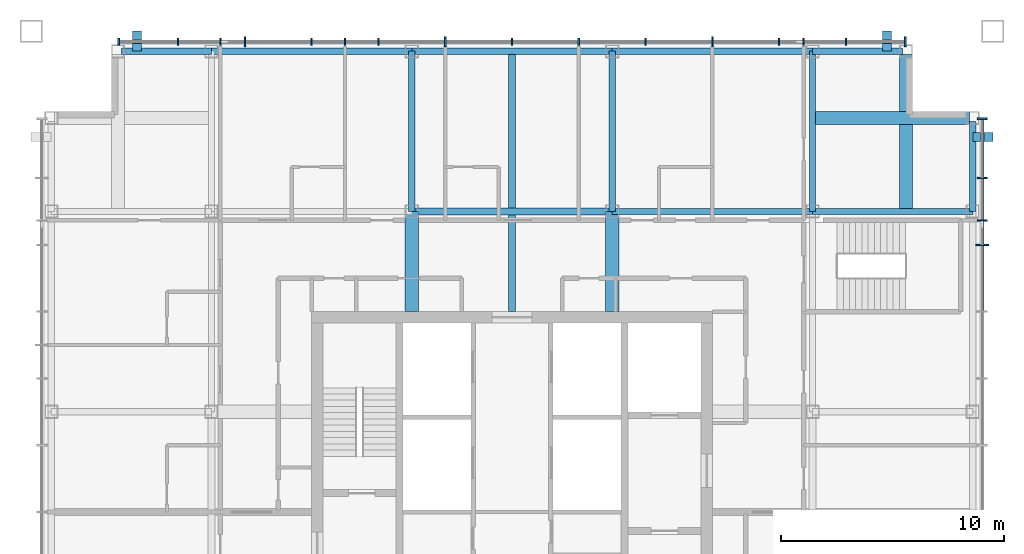
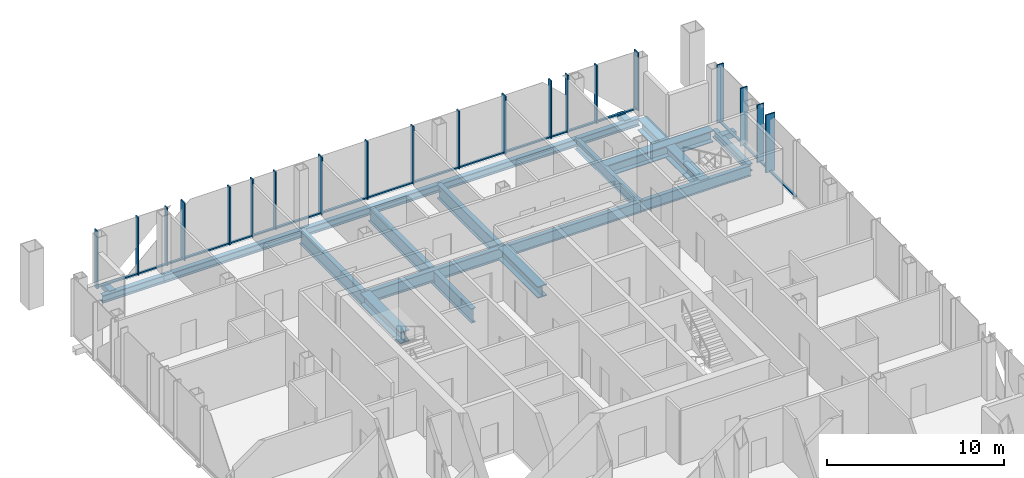
# One storey, part 5 of 16: 42 members, 17 beams, 2 elements without a shape of their own.
"""IFC4 building model written with IfcOpenShell, lengths in metres."""

from ifc_helpers import new_model, si_unit, direction, frame, origin, origin_2d, place, context, subcontext, project, spatial, rectangle, hollow_rectangle, i_section, extrude, material, layer, layer_set, material_profile, profile_set, type_object, element, aggregate, save


model = new_model("IFC4")

# Units and contexts
model_context = context("Model", 3, precision=1e-05, world=origin(), true_north=direction((0.0, 1.0)))
body_context = subcontext(model_context, "Body", "Model", "MODEL_VIEW")
ifc_project = project(units=[si_unit("LENGTHUNIT", "METRE"), si_unit("AREAUNIT", "SQUARE_METRE"), si_unit("VOLUMEUNIT", "CUBIC_METRE"), si_unit("PLANEANGLEUNIT", "RADIAN"), si_unit("MASSUNIT", "GRAM", prefix="KILO")], contexts=[model_context])

# Site, building, storey
site_placement = place(None, origin())
site = spatial("IfcSite", under=ifc_project, at=site_placement, CompositionType="ELEMENT")
building_placement = place(site_placement, origin())
building = spatial("IfcBuilding", under=site, at=building_placement, Name="Malebo Sky Hospital", CompositionType="ELEMENT")
storey_placement = place(building_placement, frame((0.0, 0.0, 254.0)))
storey = spatial("IfcBuildingStorey", under=building, at=storey_placement, Name="L61", CompositionType="ELEMENT", Elevation=254.0)

# Curtain wall, members
ifc_material_1 = material(Name="Anodised aluminium, natural silver", Category="aluminium")
ifc_layer_1 = layer(ifc_material_1, 0.25)
ifc_layer_set_1 = layer_set([ifc_layer_1], Name="WARD CURTAIN WALL NORTH AND SOUTH")
curtain_wall_type_1 = type_object("IfcCurtainWallType", Name="WARD CURTAIN WALL NORTH AND SOUTH", PredefinedType="NOTDEFINED", material=ifc_layer_set_1)
curtain_wall_1_placement = place(storey_placement, origin())
curtain_wall_1 = element("IfcCurtainWall", 1, at=curtain_wall_1_placement, inside=storey, type_object=curtain_wall_type_1, Name="NS curtain wall N", PredefinedType="NOTDEFINED")
ifc_material_profile_1 = material_profile(ifc_material_1, rectangle(XDim=0.14990234375, YDim=0.10009765625, at=origin_2d()), Name="ALUMINIUM TRANSOM 150x100")
ifc_profile_set_1 = profile_set([ifc_material_profile_1], Name="Anodised aluminium, natural silver")
member_type_1 = type_object("IfcMemberType", Name="ALUMINIUM TRANSOM 150x100", PredefinedType="USERDEFINED", material=ifc_profile_set_1)
member_1_placement = place(storey_placement, frame((42.375, 83.125, 0.050048828125), z_axis=(1.0, 0.0, 0.0), x_axis=(0.0, 1.0, 0.0)))
member_1 = element("IfcMember", 2, at=member_1_placement, type_object=member_type_1, Name="Transom 1", ObjectType="TRANSOM", PredefinedType="USERDEFINED", context=body_context, shape_type="SweptSolid", body=[
    extrude(rectangle(XDim=0.14990234375, YDim=0.10009765625, at=origin_2d()), origin(), (0.0, 0.0, 1.0), 2.58740234375),
])
member_2_placement = place(storey_placement, frame((45.03759765625, 83.125, 0.050048828125), z_axis=(1.0, 0.0, 0.0), x_axis=(0.0, 1.0, 0.0)))
member_2 = element("IfcMember", 3, at=member_2_placement, type_object=member_type_1, Name="Transom 2", ObjectType="TRANSOM", PredefinedType="USERDEFINED", context=body_context, shape_type="SweptSolid", body=[
    extrude(rectangle(XDim=0.14990234375, YDim=0.10009765625, at=origin_2d()), origin(), (0.0, 0.0, 1.0), 1.824951171875),
])
member_3_placement = place(storey_placement, frame((46.9375, 83.125, 0.050048828125), z_axis=(1.0, 0.0, 0.0), x_axis=(0.0, 1.0, 0.0)))
member_3 = element("IfcMember", 4, at=member_3_placement, type_object=member_type_1, Name="Transom 3", ObjectType="TRANSOM", PredefinedType="USERDEFINED", context=body_context, shape_type="SweptSolid", body=[
    extrude(rectangle(XDim=0.14990234375, YDim=0.10009765625, at=origin_2d()), origin(), (0.0, 0.0, 1.0), 1.02490234375),
])
member_4_placement = place(storey_placement, frame((48.03759765625, 83.125, 0.050048828125), z_axis=(1.0, 0.0, 0.0), x_axis=(0.0, 1.0, 0.0)))
member_4 = element("IfcMember", 5, at=member_4_placement, type_object=member_type_1, Name="Transom 4", ObjectType="TRANSOM", PredefinedType="USERDEFINED", context=body_context, shape_type="SweptSolid", body=[
    extrude(rectangle(XDim=0.14990234375, YDim=0.10009765625, at=origin_2d()), origin(), (0.0, 0.0, 1.0), 2.9248046875),
])
member_5_placement = place(storey_placement, frame((51.03759765625, 83.125, 0.050048828125), z_axis=(1.0, 0.0, 0.0), x_axis=(0.0, 1.0, 0.0)))
member_5 = element("IfcMember", 6, at=member_5_placement, type_object=member_type_1, Name="Transom 5", ObjectType="TRANSOM", PredefinedType="USERDEFINED", context=body_context, shape_type="SweptSolid", body=[
    extrude(rectangle(XDim=0.14990234375, YDim=0.10009765625, at=origin_2d()), origin(), (0.0, 0.0, 1.0), 1.4248046875),
])
member_6_placement = place(storey_placement, frame((52.53759765625, 83.125, 0.050048828125), z_axis=(1.0, 0.0, 0.0), x_axis=(0.0, 1.0, 0.0)))
member_6 = element("IfcMember", 7, at=member_6_placement, type_object=member_type_1, Name="Transom 6", ObjectType="TRANSOM", PredefinedType="USERDEFINED", context=body_context, shape_type="SweptSolid", body=[
    extrude(rectangle(XDim=0.14990234375, YDim=0.10009765625, at=origin_2d()), origin(), (0.0, 0.0, 1.0), 1.4248046875),
])
member_7_placement = place(storey_placement, frame((54.03759765625, 83.125, 0.050048828125), z_axis=(1.0, 0.0, 0.0), x_axis=(0.0, 1.0, 0.0)))
member_7 = element("IfcMember", 8, at=member_7_placement, type_object=member_type_1, Name="Transom 7", ObjectType="TRANSOM", PredefinedType="USERDEFINED", context=body_context, shape_type="SweptSolid", body=[
    extrude(rectangle(XDim=0.14990234375, YDim=0.10009765625, at=origin_2d()), origin(), (0.0, 0.0, 1.0), 2.9248046875),
])
member_8_placement = place(storey_placement, frame((57.03759765625, 83.125, 0.050048828125), z_axis=(1.0, 0.0, 0.0), x_axis=(0.0, 1.0, 0.0)))
member_8 = element("IfcMember", 9, at=member_8_placement, type_object=member_type_1, Name="Transom 8", ObjectType="TRANSOM", PredefinedType="USERDEFINED", context=body_context, shape_type="SweptSolid", body=[
    extrude(rectangle(XDim=0.14990234375, YDim=0.10009765625, at=origin_2d()), origin(), (0.0, 0.0, 1.0), 2.9248046875),
])
member_9_placement = place(storey_placement, frame((60.03759765625, 83.125, 0.050048828125), z_axis=(1.0, 0.0, 0.0), x_axis=(0.0, 1.0, 0.0)))
member_9 = element("IfcMember", 10, at=member_9_placement, type_object=member_type_1, Name="Transom 9", ObjectType="TRANSOM", PredefinedType="USERDEFINED", context=body_context, shape_type="SweptSolid", body=[
    extrude(rectangle(XDim=0.14990234375, YDim=0.10009765625, at=origin_2d()), origin(), (0.0, 0.0, 1.0), 2.9248046875),
])
member_10_placement = place(storey_placement, frame((63.03759765625, 83.125, 0.050048828125), z_axis=(1.0, 0.0, 0.0), x_axis=(0.0, 1.0, 0.0)))
member_10 = element("IfcMember", 11, at=member_10_placement, type_object=member_type_1, Name="Transom 10", ObjectType="TRANSOM", PredefinedType="USERDEFINED", context=body_context, shape_type="SweptSolid", body=[
    extrude(rectangle(XDim=0.14990234375, YDim=0.10009765625, at=origin_2d()), origin(), (0.0, 0.0, 1.0), 2.9248046875),
])
member_11_placement = place(storey_placement, frame((66.03759765625, 83.125, 0.050048828125), z_axis=(1.0, 0.0, 0.0), x_axis=(0.0, 1.0, 0.0)))
member_11 = element("IfcMember", 12, at=member_11_placement, type_object=member_type_1, Name="Transom 11", ObjectType="TRANSOM", PredefinedType="USERDEFINED", context=body_context, shape_type="SweptSolid", body=[
    extrude(rectangle(XDim=0.14990234375, YDim=0.10009765625, at=origin_2d()), origin(), (0.0, 0.0, 1.0), 2.9248046875),
])
member_12_placement = place(storey_placement, frame((69.03759765625, 83.125, 0.050048828125), z_axis=(1.0, 0.0, 0.0), x_axis=(0.0, 1.0, 0.0)))
member_12 = element("IfcMember", 13, at=member_12_placement, type_object=member_type_1, Name="Transom 12", ObjectType="TRANSOM", PredefinedType="USERDEFINED", context=body_context, shape_type="SweptSolid", body=[
    extrude(rectangle(XDim=0.14990234375, YDim=0.10009765625, at=origin_2d()), origin(), (0.0, 0.0, 1.0), 2.9248046875),
])
member_13_placement = place(storey_placement, frame((72.03759765625, 83.125, 0.050048828125), z_axis=(1.0, 0.0, 0.0), x_axis=(0.0, 1.0, 0.0)))
member_13 = element("IfcMember", 14, at=member_13_placement, type_object=member_type_1, Name="Transom 13", ObjectType="TRANSOM", PredefinedType="USERDEFINED", context=body_context, shape_type="SweptSolid", body=[
    extrude(rectangle(XDim=0.14990234375, YDim=0.10009765625, at=origin_2d()), origin(), (0.0, 0.0, 1.0), 1.02490234375),
])
member_14_placement = place(storey_placement, frame((73.137451171875, 83.125, 0.050048828125), z_axis=(1.0, 0.0, 0.0), x_axis=(0.0, 1.0, 0.0)))
member_14 = element("IfcMember", 15, at=member_14_placement, type_object=member_type_1, Name="Transom 14", ObjectType="TRANSOM", PredefinedType="USERDEFINED", context=body_context, shape_type="SweptSolid", body=[
    extrude(rectangle(XDim=0.14990234375, YDim=0.10009765625, at=origin_2d()), origin(), (0.0, 0.0, 1.0), 1.824951171875),
])
member_15_placement = place(storey_placement, frame((75.03759765625, 83.125, 0.050048828125), z_axis=(1.0, 0.0, 0.0), x_axis=(0.0, 1.0, 0.0)))
member_15 = element("IfcMember", 16, at=member_15_placement, type_object=member_type_1, Name="Transom 15", ObjectType="TRANSOM", PredefinedType="USERDEFINED", context=body_context, shape_type="SweptSolid", body=[
    extrude(rectangle(XDim=0.14990234375, YDim=0.10009765625, at=origin_2d()), origin(), (0.0, 0.0, 1.0), 2.58740234375),
])

ifc_layer_2 = layer(ifc_material_1, 0.25)
ifc_layer_set_2 = layer_set([ifc_layer_2], Name="WARD CURTAIN WALL EAST AND WEST")
curtain_wall_type_2 = type_object("IfcCurtainWallType", Name="WARD CURTAIN WALL EAST AND WEST", PredefinedType="NOTDEFINED", material=ifc_layer_set_2)
curtain_wall_2_placement = place(storey_placement, origin())
curtain_wall_2 = element("IfcCurtainWall", 17, at=curtain_wall_2_placement, inside=storey, type_object=curtain_wall_type_2, Name="EW curtain wall E", PredefinedType="NOTDEFINED")
member_16_placement = place(storey_placement, frame((81.125, 79.625, 0.050048828125), z_axis=(0.0, -1.0, 0.0), x_axis=(1.0, 0.0, 0.0)))
member_16 = element("IfcMember", 18, at=member_16_placement, type_object=member_type_1, Name="Transom 1", ObjectType="TRANSOM", PredefinedType="USERDEFINED", context=body_context, shape_type="SweptSolid", body=[
    extrude(rectangle(XDim=0.14990234375, YDim=0.10009765625, at=origin_2d()), origin(), (0.0, 0.0, 1.0), 2.58740234375),
])
member_17_placement = place(storey_placement, frame((81.125, 76.96240234375, 0.050048828125), z_axis=(0.0, -1.0, 0.0), x_axis=(1.0, 0.0, 0.0)))
member_17 = element("IfcMember", 19, at=member_17_placement, type_object=member_type_1, Name="Transom 2", ObjectType="TRANSOM", PredefinedType="USERDEFINED", context=body_context, shape_type="SweptSolid", body=[
    extrude(rectangle(XDim=0.14990234375, YDim=0.10009765625, at=origin_2d()), origin(), (0.0, 0.0, 1.0), 1.824951171875),
])
member_18_placement = place(storey_placement, frame((81.125, 75.0625, 0.050048828125), z_axis=(0.0, -1.0, 0.0), x_axis=(1.0, 0.0, 0.0)))
member_18 = element("IfcMember", 20, at=member_18_placement, type_object=member_type_1, Name="Transom 3", ObjectType="TRANSOM", PredefinedType="USERDEFINED", context=body_context, shape_type="SweptSolid", body=[
    extrude(rectangle(XDim=0.14990234375, YDim=0.10009765625, at=origin_2d()), origin(), (0.0, 0.0, 1.0), 1.02490234375),
])
member_19_placement = place(storey_placement, frame((81.125, 73.96240234375, 0.050048828125), z_axis=(0.0, -1.0, 0.0), x_axis=(1.0, 0.0, 0.0)))
member_19 = element("IfcMember", 21, at=member_19_placement, type_object=member_type_1, Name="Transom 4", ObjectType="TRANSOM", PredefinedType="USERDEFINED", context=body_context, shape_type="SweptSolid", body=[
    extrude(rectangle(XDim=0.14990234375, YDim=0.10009765625, at=origin_2d()), origin(), (0.0, 0.0, 1.0), 2.9248046875),
])

# Members
ifc_material_2 = material(Name="Steel S355", Category="steel")
ifc_material_profile_2 = material_profile(ifc_material_2, hollow_rectangle(XDim=0.39990234375, YDim=0.39990234375, WallThickness=0.02001953125, at=origin_2d()), Name="SHS 400x20")
ifc_profile_set_2 = profile_set([ifc_material_profile_2], Name="Steel S355")
member_type_2 = type_object("IfcMemberType", Name="BRACE STRUT SHS 400x20", PredefinedType="STRUT", material=ifc_profile_set_2)
for number, where, z_axis, x_axis, name in (
    (22, (76.847412109375, 83.60009765625, -0.39990234375), (0.0, -1.0, 0.0), (1.0, 0.0, 0.0), "Brace strut DN1 L61"),
    (23, (43.152587890625, 83.60009765625, -0.39990234375), (0.0, -1.0, 0.0), (1.0, 0.0, 0.0), "Brace strut DN2 L61"),
    (24, (81.60009765625, 78.847412109375, -0.39990234375), (-1.0, 0.0, 0.0), (0.0, -1.0, 0.0), "Brace strut DE2 L61"),
):
    element("IfcMember", number, at=place(storey_placement, frame(where, z_axis=z_axis, x_axis=x_axis)), inside=storey, type_object=member_type_2, Name=name, PredefinedType="STRUT", context=body_context, shape_type="SweptSolid", body=[
        extrude(hollow_rectangle(XDim=0.39990234375, YDim=0.39990234375, WallThickness=0.02001953125, at=origin_2d()), origin(), (0.0, 0.0, 1.0), 0.900146484375),
    ])

# Member
ifc_material_profile_3 = material_profile(ifc_material_1, rectangle(XDim=0.074951171875, YDim=0.300048828125, at=origin_2d()), Name="CW1 ALUMINIUM FIN MULLION 75x300")
ifc_profile_set_3 = profile_set([ifc_material_profile_3], Name="Anodised aluminium, natural silver")
member_type_3 = type_object("IfcMemberType", Name="CW1 ALUMINIUM FIN MULLION 75x300", PredefinedType="MULLION", material=ifc_profile_set_3)
member_20_placement = place(storey_placement, frame((42.33740234375, 83.125, 0.0), z_axis=(0.0, 0.0, 1.0), x_axis=(1.0, 0.0, 0.0)))
member_20 = element("IfcMember", 25, at=member_20_placement, type_object=member_type_3, Name="Fin mullion 1", PredefinedType="MULLION", context=body_context, shape_type="SweptSolid", body=[
    extrude(rectangle(XDim=0.074951171875, YDim=0.300048828125, at=origin_2d()), origin(), (0.0, 0.0, 1.0), 4.0),
])

member_21_placement = place(storey_placement, frame((45.0, 83.125, 0.0), z_axis=(0.0, 0.0, 1.0), x_axis=(1.0, 0.0, 0.0)))
member_21 = element("IfcMember", 26, at=member_21_placement, type_object=member_type_3, Name="Fin mullion 2", PredefinedType="MULLION", context=body_context, shape_type="SweptSolid", body=[
    extrude(rectangle(XDim=0.074951171875, YDim=0.300048828125, at=origin_2d()), origin(), (0.0, 0.0, 1.0), 4.0),
])

member_22_placement = place(storey_placement, frame((46.89990234375, 83.125, 0.0), z_axis=(0.0, 0.0, 1.0), x_axis=(1.0, 0.0, 0.0)))
member_22 = element("IfcMember", 27, at=member_22_placement, type_object=member_type_3, Name="Fin mullion 3", PredefinedType="MULLION", context=body_context, shape_type="SweptSolid", body=[
    extrude(rectangle(XDim=0.074951171875, YDim=0.300048828125, at=origin_2d()), origin(), (0.0, 0.0, 1.0), 4.0),
])

member_23_placement = place(storey_placement, frame((51.0, 83.125, 0.0), z_axis=(0.0, 0.0, 1.0), x_axis=(1.0, 0.0, 0.0)))
member_23 = element("IfcMember", 28, at=member_23_placement, type_object=member_type_3, Name="Fin mullion 5", PredefinedType="MULLION", context=body_context, shape_type="SweptSolid", body=[
    extrude(rectangle(XDim=0.074951171875, YDim=0.300048828125, at=origin_2d()), origin(), (0.0, 0.0, 1.0), 4.0),
])

member_24_placement = place(storey_placement, frame((52.5, 83.125, 0.0), z_axis=(0.0, 0.0, 1.0), x_axis=(1.0, 0.0, 0.0)))
member_24 = element("IfcMember", 29, at=member_24_placement, type_object=member_type_3, Name="Fin mullion 6", PredefinedType="MULLION", context=body_context, shape_type="SweptSolid", body=[
    extrude(rectangle(XDim=0.074951171875, YDim=0.300048828125, at=origin_2d()), origin(), (0.0, 0.0, 1.0), 4.0),
])

member_25_placement = place(storey_placement, frame((54.0, 83.125, 0.0), z_axis=(0.0, 0.0, 1.0), x_axis=(1.0, 0.0, 0.0)))
member_25 = element("IfcMember", 30, at=member_25_placement, type_object=member_type_3, Name="Fin mullion 7", PredefinedType="MULLION", context=body_context, shape_type="SweptSolid", body=[
    extrude(rectangle(XDim=0.074951171875, YDim=0.300048828125, at=origin_2d()), origin(), (0.0, 0.0, 1.0), 4.0),
])

member_26_placement = place(storey_placement, frame((60.0, 83.125, 0.0), z_axis=(0.0, 0.0, 1.0), x_axis=(1.0, 0.0, 0.0)))
member_26 = element("IfcMember", 31, at=member_26_placement, type_object=member_type_3, Name="Fin mullion 9", PredefinedType="MULLION", context=body_context, shape_type="SweptSolid", body=[
    extrude(rectangle(XDim=0.074951171875, YDim=0.300048828125, at=origin_2d()), origin(), (0.0, 0.0, 1.0), 4.0),
])

member_27_placement = place(storey_placement, frame((63.0, 83.125, 0.0), z_axis=(0.0, 0.0, 1.0), x_axis=(1.0, 0.0, 0.0)))
member_27 = element("IfcMember", 32, at=member_27_placement, type_object=member_type_3, Name="Fin mullion 10", PredefinedType="MULLION", context=body_context, shape_type="SweptSolid", body=[
    extrude(rectangle(XDim=0.074951171875, YDim=0.300048828125, at=origin_2d()), origin(), (0.0, 0.0, 1.0), 4.0),
])

member_28_placement = place(storey_placement, frame((66.0, 83.125, 0.0), z_axis=(0.0, 0.0, 1.0), x_axis=(1.0, 0.0, 0.0)))
member_28 = element("IfcMember", 33, at=member_28_placement, type_object=member_type_3, Name="Fin mullion 11", PredefinedType="MULLION", context=body_context, shape_type="SweptSolid", body=[
    extrude(rectangle(XDim=0.074951171875, YDim=0.300048828125, at=origin_2d()), origin(), (0.0, 0.0, 1.0), 4.0),
])

member_29_placement = place(storey_placement, frame((72.0, 83.125, 0.0), z_axis=(0.0, 0.0, 1.0), x_axis=(1.0, 0.0, 0.0)))
member_29 = element("IfcMember", 34, at=member_29_placement, type_object=member_type_3, Name="Fin mullion 13", PredefinedType="MULLION", context=body_context, shape_type="SweptSolid", body=[
    extrude(rectangle(XDim=0.074951171875, YDim=0.300048828125, at=origin_2d()), origin(), (0.0, 0.0, 1.0), 4.0),
])

member_30_placement = place(storey_placement, frame((73.10009765625, 83.125, 0.0), z_axis=(0.0, 0.0, 1.0), x_axis=(1.0, 0.0, 0.0)))
member_30 = element("IfcMember", 35, at=member_30_placement, type_object=member_type_3, Name="Fin mullion 14", PredefinedType="MULLION", context=body_context, shape_type="SweptSolid", body=[
    extrude(rectangle(XDim=0.074951171875, YDim=0.300048828125, at=origin_2d()), origin(), (0.0, 0.0, 1.0), 4.0),
])

member_31_placement = place(storey_placement, frame((75.0, 83.125, 0.0), z_axis=(0.0, 0.0, 1.0), x_axis=(1.0, 0.0, 0.0)))
member_31 = element("IfcMember", 36, at=member_31_placement, type_object=member_type_3, Name="Fin mullion 15", PredefinedType="MULLION", context=body_context, shape_type="SweptSolid", body=[
    extrude(rectangle(XDim=0.074951171875, YDim=0.300048828125, at=origin_2d()), origin(), (0.0, 0.0, 1.0), 4.0),
])

ifc_material_profile_4 = material_profile(ifc_material_1, rectangle(XDim=0.074951171875, YDim=0.449951171875, at=origin_2d()), Name="CW1 ALUMINIUM FIN MULLION 75x450")
ifc_profile_set_4 = profile_set([ifc_material_profile_4], Name="Anodised aluminium, natural silver")
member_type_4 = type_object("IfcMemberType", Name="CW1 ALUMINIUM FIN MULLION 75x450", PredefinedType="MULLION", material=ifc_profile_set_4)
member_32_placement = place(storey_placement, frame((48.0, 83.125, 0.0), z_axis=(0.0, 0.0, 1.0), x_axis=(1.0, 0.0, 0.0)))
member_32 = element("IfcMember", 37, at=member_32_placement, type_object=member_type_4, Name="Fin mullion 4", PredefinedType="MULLION", context=body_context, shape_type="SweptSolid", body=[
    extrude(rectangle(XDim=0.074951171875, YDim=0.449951171875, at=origin_2d()), origin(), (0.0, 0.0, 1.0), 4.0),
])

member_33_placement = place(storey_placement, frame((57.0, 83.125, 0.0), z_axis=(0.0, 0.0, 1.0), x_axis=(1.0, 0.0, 0.0)))
member_33 = element("IfcMember", 38, at=member_33_placement, type_object=member_type_4, Name="Fin mullion 8", PredefinedType="MULLION", context=body_context, shape_type="SweptSolid", body=[
    extrude(rectangle(XDim=0.074951171875, YDim=0.449951171875, at=origin_2d()), origin(), (0.0, 0.0, 1.0), 4.0),
])

member_34_placement = place(storey_placement, frame((69.0, 83.125, 0.0), z_axis=(0.0, 0.0, 1.0), x_axis=(1.0, 0.0, 0.0)))
member_34 = element("IfcMember", 39, at=member_34_placement, type_object=member_type_4, Name="Fin mullion 12", PredefinedType="MULLION", context=body_context, shape_type="SweptSolid", body=[
    extrude(rectangle(XDim=0.074951171875, YDim=0.449951171875, at=origin_2d()), origin(), (0.0, 0.0, 1.0), 4.0),
])

member_35_placement = place(storey_placement, frame((77.66259765625, 83.125, 0.0), z_axis=(0.0, 0.0, 1.0), x_axis=(1.0, 0.0, 0.0)))
member_35 = element("IfcMember", 40, at=member_35_placement, type_object=member_type_4, Name="Fin mullion 16", PredefinedType="MULLION", context=body_context, shape_type="SweptSolid", body=[
    extrude(rectangle(XDim=0.074951171875, YDim=0.449951171875, at=origin_2d()), origin(), (0.0, 0.0, 1.0), 4.0),
])

aggregate(curtain_wall_1, [member_20, member_21, member_22, member_32, member_23, member_24, member_25, member_33, member_26, member_27, member_28, member_34, member_29, member_30, member_31, member_35, member_1, member_2, member_3, member_4, member_5, member_6, member_7, member_8, member_9, member_10, member_11, member_12, member_13, member_14, member_15])

ifc_material_profile_5 = material_profile(ifc_material_1, rectangle(XDim=0.074951171875, YDim=0.449951171875, at=origin_2d()), Name="CW2 ALUMINIUM FIN MULLION 75x450")
ifc_profile_set_5 = profile_set([ifc_material_profile_5], Name="Anodised aluminium, natural silver")
member_type_5 = type_object("IfcMemberType", Name="CW2 ALUMINIUM FIN MULLION 75x450", PredefinedType="MULLION", material=ifc_profile_set_5)
member_36_placement = place(storey_placement, frame((81.125, 79.66259765625, 0.0), z_axis=(0.0, 0.0, 1.0), x_axis=(0.0, -1.0, 0.0)))
member_36 = element("IfcMember", 41, at=member_36_placement, type_object=member_type_5, Name="Fin mullion 1", PredefinedType="MULLION", context=body_context, shape_type="SweptSolid", body=[
    extrude(rectangle(XDim=0.074951171875, YDim=0.449951171875, at=origin_2d()), origin(), (0.0, 0.0, 1.0), 4.0),
])

member_37_placement = place(storey_placement, frame((81.125, 77.0, 0.0), z_axis=(0.0, 0.0, 1.0), x_axis=(0.0, -1.0, 0.0)))
member_37 = element("IfcMember", 42, at=member_37_placement, type_object=member_type_5, Name="Fin mullion 2", PredefinedType="MULLION", context=body_context, shape_type="SweptSolid", body=[
    extrude(rectangle(XDim=0.074951171875, YDim=0.449951171875, at=origin_2d()), origin(), (0.0, 0.0, 1.0), 4.0),
])

member_38_placement = place(storey_placement, frame((81.125, 75.10009765625, 0.0), z_axis=(0.0, 0.0, 1.0), x_axis=(0.0, -1.0, 0.0)))
member_38 = element("IfcMember", 43, at=member_38_placement, type_object=member_type_5, Name="Fin mullion 3", PredefinedType="MULLION", context=body_context, shape_type="SweptSolid", body=[
    extrude(rectangle(XDim=0.074951171875, YDim=0.449951171875, at=origin_2d()), origin(), (0.0, 0.0, 1.0), 4.0),
])

ifc_material_profile_6 = material_profile(ifc_material_1, rectangle(XDim=0.074951171875, YDim=0.60009765625, at=origin_2d()), Name="CW2 ALUMINIUM FIN MULLION 75x600")
ifc_profile_set_6 = profile_set([ifc_material_profile_6], Name="Anodised aluminium, natural silver")
member_type_6 = type_object("IfcMemberType", Name="CW2 ALUMINIUM FIN MULLION 75x600", PredefinedType="MULLION", material=ifc_profile_set_6)
member_39_placement = place(storey_placement, frame((81.125, 74.0, 0.0), z_axis=(0.0, 0.0, 1.0), x_axis=(0.0, -1.0, 0.0)))
member_39 = element("IfcMember", 44, at=member_39_placement, type_object=member_type_6, Name="Fin mullion 4", PredefinedType="MULLION", context=body_context, shape_type="SweptSolid", body=[
    extrude(rectangle(XDim=0.074951171875, YDim=0.60009765625, at=origin_2d()), origin(), (0.0, 0.0, 1.0), 4.0),
])

aggregate(curtain_wall_2, [member_36, member_37, member_38, member_39, member_16, member_17, member_18, member_19])

# Beams
ifc_material_profile_7 = material_profile(ifc_material_2, i_section(OverallWidth=0.305908203125, OverallDepth=0.52392578125, WebThickness=0.02099609375, FlangeThickness=0.0400390625, FilletRadius=0.027099609375, at=origin_2d()), Name="HEM 500")
ifc_profile_set_7 = profile_set([ifc_material_profile_7], Name="Steel S355")
beam_type_1 = type_object("IfcBeamType", Name="EDGE BEAM HEM 500", PredefinedType="BEAM", material=ifc_profile_set_7)
for number, where, z_axis, x_axis, name in (
    (45, (80.699951171875, 75.5, -0.511962890625), (0.0, 1.0, 0.0), (-1.0, 0.0, 0.0), "Beam 033 L61"),
    (46, (42.449951171875, 82.699951171875, -0.511962890625), (1.0, 0.0, 0.0), (0.0, 1.0, 0.0), "Beam 063 L61"),
):
    element("IfcBeam", number, at=place(storey_placement, frame(where, z_axis=z_axis, x_axis=x_axis)), inside=storey, type_object=beam_type_1, Name=name, PredefinedType="BEAM", context=body_context, shape_type="SweptSolid", body=[
        extrude(i_section(OverallWidth=0.305908203125, OverallDepth=0.52392578125, WebThickness=0.02099609375, FlangeThickness=0.0400390625, FilletRadius=0.027099609375, at=origin_2d()), origin(), (0.0, 0.0, 1.0), 4.050048828125),
    ])
for number, where, z_axis, x_axis, name in (
    (47, (46.5, 82.699951171875, -0.511962890625), (1.0, 0.0, 0.0), (0.0, 1.0, 0.0), "Beam 064 L61"),
    (48, (55.5, 82.699951171875, -0.511962890625), (1.0, 0.0, 0.0), (0.0, 1.0, 0.0), "Beam 065 L61"),
    (49, (64.5, 82.699951171875, -0.511962890625), (1.0, 0.0, 0.0), (0.0, 1.0, 0.0), "Beam 066 L61"),
):
    element("IfcBeam", number, at=place(storey_placement, frame(where, z_axis=z_axis, x_axis=x_axis)), inside=storey, type_object=beam_type_1, Name=name, PredefinedType="BEAM", context=body_context, shape_type="SweptSolid", body=[
        extrude(i_section(OverallWidth=0.305908203125, OverallDepth=0.52392578125, WebThickness=0.02099609375, FlangeThickness=0.0400390625, FilletRadius=0.027099609375, at=origin_2d()), origin(), (0.0, 0.0, 1.0), 9.0),
    ])
beam_1_placement = place(storey_placement, frame((73.5, 82.699951171875, -0.511962890625), z_axis=(1.0, 0.0, 0.0), x_axis=(0.0, 1.0, 0.0)))
element("IfcBeam", 50, at=beam_1_placement, inside=storey, type_object=beam_type_1, Name="Beam 067 L61", PredefinedType="BEAM", context=body_context, shape_type="SweptSolid", body=[
    extrude(i_section(OverallWidth=0.305908203125, OverallDepth=0.52392578125, WebThickness=0.02099609375, FlangeThickness=0.0400390625, FilletRadius=0.027099609375, at=origin_2d()), origin(), (0.0, 0.0, 1.0), 4.050048828125),
])
ifc_material_profile_8 = material_profile(ifc_material_2, i_section(OverallWidth=0.300048828125, OverallDepth=1.0, WebThickness=0.01904296875, FlangeThickness=0.035888671875, FilletRadius=0.030029296875, at=origin_2d()), Name="HEB 1000")
ifc_profile_set_8 = profile_set([ifc_material_profile_8], Name="Steel S355")
beam_type_2 = type_object("IfcBeamType", Name="FLOOR BEAM HEB 1000", PredefinedType="BEAM", material=ifc_profile_set_8)
beam_2_placement = place(storey_placement, frame((55.5, 75.5, -0.75), z_axis=(0.0, 1.0, 0.0), x_axis=(-1.0, 0.0, 0.0)))
element("IfcBeam", 51, at=beam_2_placement, inside=storey, type_object=beam_type_2, Name="Beam 015 L61", PredefinedType="BEAM", context=body_context, shape_type="SweptSolid", body=[
    extrude(i_section(OverallWidth=0.300048828125, OverallDepth=1.0, WebThickness=0.01904296875, FlangeThickness=0.035888671875, FilletRadius=0.030029296875, at=origin_2d()), origin(), (0.0, 0.0, 1.0), 7.199951171875),
])
beam_3_placement = place(storey_placement, frame((60.0, 71.0, -0.75), z_axis=(0.0, 1.0, 0.0), x_axis=(-1.0, 0.0, 0.0)))
element("IfcBeam", 52, at=beam_3_placement, inside=storey, type_object=beam_type_2, Name="Beam 017 L61", PredefinedType="BEAM", context=body_context, shape_type="SweptSolid", body=[
    extrude(i_section(OverallWidth=0.300048828125, OverallDepth=1.0, WebThickness=0.01904296875, FlangeThickness=0.035888671875, FilletRadius=0.030029296875, at=origin_2d()), origin(), (0.0, 0.0, 1.0), 11.699951171875),
])
beam_4_placement = place(storey_placement, frame((64.5, 75.5, -0.75), z_axis=(0.0, 1.0, 0.0), x_axis=(-1.0, 0.0, 0.0)))
element("IfcBeam", 53, at=beam_4_placement, inside=storey, type_object=beam_type_2, Name="Beam 021 L61", PredefinedType="BEAM", context=body_context, shape_type="SweptSolid", body=[
    extrude(i_section(OverallWidth=0.300048828125, OverallDepth=1.0, WebThickness=0.01904296875, FlangeThickness=0.035888671875, FilletRadius=0.030029296875, at=origin_2d()), origin(), (0.0, 0.0, 1.0), 7.199951171875),
])
ifc_material_profile_9 = material_profile(ifc_material_2, i_section(OverallWidth=0.26708984375, OverallDepth=0.761962890625, WebThickness=0.014404296875, FlangeThickness=0.021484375, FilletRadius=0.01708984375, at=origin_2d()), Name="IPE 750x173")
ifc_profile_set_9 = profile_set([ifc_material_profile_9], Name="Steel S355")
beam_type_3 = type_object("IfcBeamType", Name="FLOOR BEAM IPE 750x173", PredefinedType="BEAM", material=ifc_profile_set_9)
beam_5_placement = place(storey_placement, frame((64.5, 75.5, -0.631103515625), z_axis=(1.0, 0.0, 0.0), x_axis=(0.0, 1.0, 0.0)))
element("IfcBeam", 54, at=beam_5_placement, inside=storey, type_object=beam_type_3, Name="Beam 059 L61", PredefinedType="BEAM", context=body_context, shape_type="SweptSolid", body=[
    extrude(i_section(OverallWidth=0.26708984375, OverallDepth=0.761962890625, WebThickness=0.014404296875, FlangeThickness=0.021484375, FilletRadius=0.01708984375, at=origin_2d()), origin(), (0.0, 0.0, 1.0), 9.0),
])
ifc_material_profile_10 = material_profile(ifc_material_2, i_section(OverallWidth=0.60009765625, OverallDepth=0.800048828125, WebThickness=0.0400390625, FlangeThickness=0.06005859375, at=origin_2d()), Name="PG 800x600x40x60")
ifc_profile_set_10 = profile_set([ifc_material_profile_10], Name="Steel S355")
beam_type_4 = type_object("IfcBeamType", Name="FLOOR BEAM PG 800x600x40x60", PredefinedType="BEAM", material=ifc_profile_set_10)
for number, where, z_axis, x_axis, name in (
    (55, (55.5, 71.0, -0.64990234375), (0.0, 1.0, 0.0), (-1.0, 0.0, 0.0), "Beam 014 L61"),
    (56, (64.5, 71.0, -0.64990234375), (0.0, 1.0, 0.0), (-1.0, 0.0, 0.0), "Beam 020 L61"),
):
    element("IfcBeam", number, at=place(storey_placement, frame(where, z_axis=z_axis, x_axis=x_axis)), inside=storey, type_object=beam_type_4, Name=name, PredefinedType="BEAM", context=body_context, shape_type="SweptSolid", body=[
        extrude(i_section(OverallWidth=0.60009765625, OverallDepth=0.800048828125, WebThickness=0.0400390625, FlangeThickness=0.06005859375, at=origin_2d()), origin(), (0.0, 0.0, 1.0), 4.5),
    ])
for number, where, z_axis, x_axis, name in (
    (57, (77.699951171875, 75.5, -0.64990234375), (0.0, 1.0, 0.0), (-1.0, 0.0, 0.0), "Beam 028 L61"),
    (58, (73.5, 79.699951171875, -0.64990234375), (1.0, 0.0, 0.0), (0.0, 1.0, 0.0), "Beam 062 L61"),
):
    element("IfcBeam", number, at=place(storey_placement, frame(where, z_axis=z_axis, x_axis=x_axis)), inside=storey, type_object=beam_type_4, Name=name, PredefinedType="BEAM", context=body_context, shape_type="SweptSolid", body=[
        extrude(i_section(OverallWidth=0.60009765625, OverallDepth=0.800048828125, WebThickness=0.0400390625, FlangeThickness=0.06005859375, at=origin_2d()), origin(), (0.0, 0.0, 1.0), 7.050048828125),
    ])
ifc_material_profile_11 = material_profile(ifc_material_2, i_section(OverallWidth=0.262939453125, OverallDepth=0.7529296875, WebThickness=0.011474609375, FlangeThickness=0.01708984375, FilletRadius=0.01708984375, at=origin_2d()), Name="IPE 750x137")
ifc_profile_set_11 = profile_set([ifc_material_profile_11], Name="Steel S355")
beam_type_5 = type_object("IfcBeamType", Name="FLOOR GIRDER IPE 750x137", PredefinedType="BEAM", material=ifc_profile_set_11)
for number, where, z_axis, x_axis, name in (
    (59, (73.5, 75.5, -0.62646484375), (0.0, 1.0, 0.0), (-1.0, 0.0, 0.0), "Beam 026 L61"),
    (60, (73.5, 75.5, -0.62646484375), (1.0, 0.0, 0.0), (0.0, 1.0, 0.0), "Beam 060 L61"),
):
    element("IfcBeam", number, at=place(storey_placement, frame(where, z_axis=z_axis, x_axis=x_axis)), inside=storey, type_object=beam_type_5, Name=name, PredefinedType="BEAM", context=body_context, shape_type="SweptSolid", body=[
        extrude(i_section(OverallWidth=0.262939453125, OverallDepth=0.7529296875, WebThickness=0.011474609375, FlangeThickness=0.01708984375, FilletRadius=0.01708984375, at=origin_2d()), origin(), (0.0, 0.0, 1.0), 7.199951171875),
    ])
ifc_material_profile_12 = material_profile(ifc_material_2, i_section(OverallWidth=0.300048828125, OverallDepth=0.800048828125, WebThickness=0.017578125, FlangeThickness=0.032958984375, FilletRadius=0.030029296875, at=origin_2d()), Name="HEB 800")
ifc_profile_set_12 = profile_set([ifc_material_profile_12], Name="Steel S355")
beam_type_6 = type_object("IfcBeamType", Name="RING GIRDER HEB 800", PredefinedType="BEAM", material=ifc_profile_set_12)
beam_6_placement = place(storey_placement, frame((55.5, 75.5, -0.64990234375), z_axis=(1.0, 0.0, 0.0), x_axis=(0.0, 1.0, 0.0)))
element("IfcBeam", 61, at=beam_6_placement, inside=storey, type_object=beam_type_6, Name="Beam 058 L61", PredefinedType="BEAM", context=body_context, shape_type="SweptSolid", body=[
    extrude(i_section(OverallWidth=0.300048828125, OverallDepth=0.800048828125, WebThickness=0.017578125, FlangeThickness=0.032958984375, FilletRadius=0.030029296875, at=origin_2d()), origin(), (0.0, 0.0, 1.0), 9.0),
])

save(model, "model.ifc")
